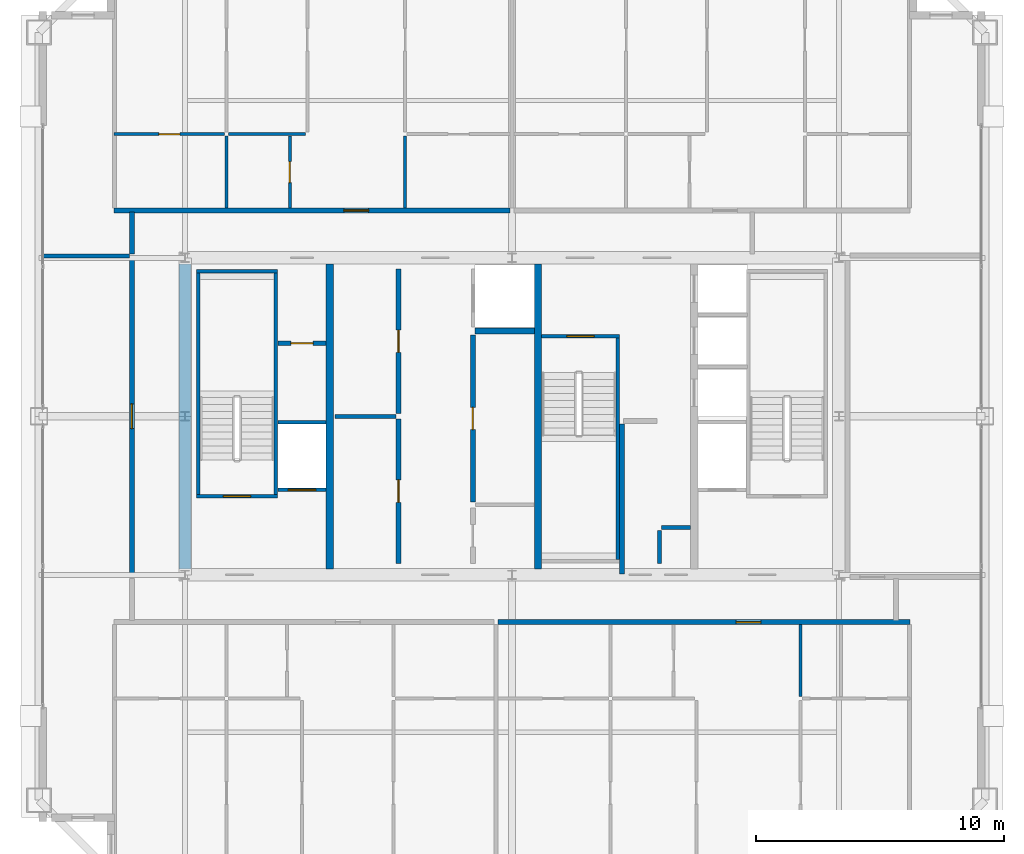
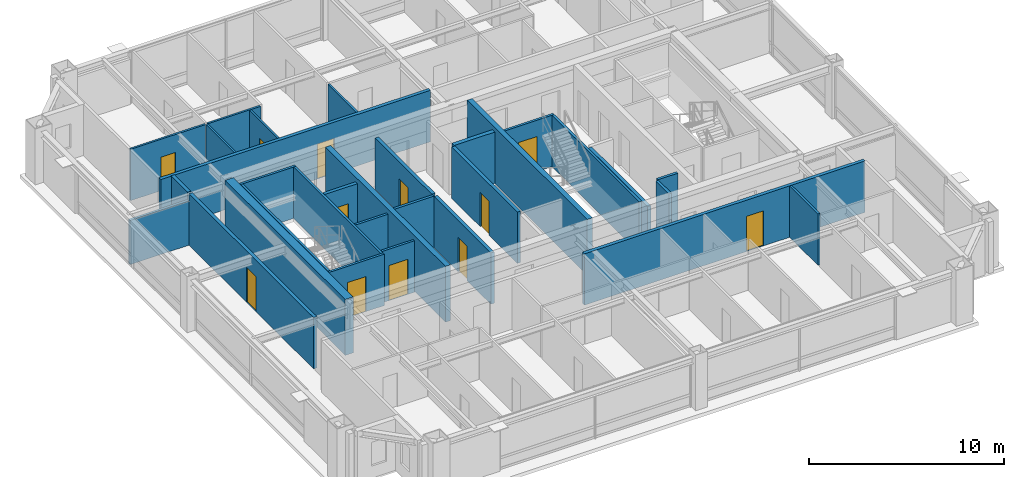
# One storey, part 31 of 35: 31 walls, 12 doors, 12 openings.
"""IFC4 building model written with IfcOpenShell, lengths in metres."""

from ifc_helpers import new_model, si_unit, direction, frame, frame_2d, origin, place, context, subcontext, project, spatial, rectangle, extrude, source, transform, mapped, material, layer, layer_set, type_object, element, fill, save


model = new_model("IFC4")

# Units and contexts
model_context = context("Model", 3, precision=1e-05, world=origin(), true_north=direction((0.0, 1.0)))
body_context = subcontext(model_context, "Body", "Model", "MODEL_VIEW")
ifc_project = project(units=[si_unit("LENGTHUNIT", "METRE"), si_unit("AREAUNIT", "SQUARE_METRE"), si_unit("VOLUMEUNIT", "CUBIC_METRE"), si_unit("PLANEANGLEUNIT", "RADIAN"), si_unit("MASSUNIT", "GRAM", prefix="KILO"), si_unit("THERMODYNAMICTEMPERATUREUNIT", "KELVIN"), si_unit("POWERUNIT", "WATT")], contexts=[model_context])

# Site, building, storey
site_placement = place(None, origin())
site = spatial("IfcSite", under=ifc_project, at=site_placement, CompositionType="ELEMENT")
building_placement = place(site_placement, origin())
building = spatial("IfcBuilding", under=site, at=building_placement, Name="Yuzanri Waterfront Tower", CompositionType="ELEMENT")
storey_placement = place(building_placement, frame((0.0, 0.0, 303.10009765625)))
storey = spatial("IfcBuildingStorey", under=building, at=storey_placement, Name="L81", CompositionType="ELEMENT", Elevation=303.10009765625)

# Wall, opening, door
ifc_material_1 = material(Name="Moisture-Resistant Gypsum Stud Wall", Category="gypsum")
ifc_layer_1 = layer(ifc_material_1, 0.1201171875)
ifc_layer_set_1 = layer_set([ifc_layer_1], Name="Moisture-Resistant Gypsum Stud Wall")
wall_type_1 = type_object("IfcWallType", Name="Bathroom and Kitchen Wet Partition 120", PredefinedType="PARTITIONING", material=ifc_layer_set_1)
wall_1_placement = place(storey_placement, frame((20.93994140625, 37.18994140625, 0.0), z_axis=(0.0, 0.0, 1.0), x_axis=(1.0, 0.0, 0.0)))
wall_1 = element("IfcWall", 1, at=wall_1_placement, inside=storey, type_object=wall_type_1, Name="L81 Partition UW-L81-HN1-SUB-1-N", PredefinedType="PARTITIONING", context=body_context, shape_type="SweptSolid", body=[
    extrude(rectangle(XDim=4.449951171875, YDim=0.1201171875, at=frame_2d((2.22509765625, 0.0))), origin(), (0.0, 0.0, 1.0), 3.219970703125),
])
opening_1_placement = place(wall_1_placement, frame((1.800048828125, 0.0, 0.0)))
opening_1 = element("IfcOpeningElement", 2, at=opening_1_placement, cuts=wall_1, Name="Opening ID-0850", PredefinedType="OPENING", context=body_context, shape_type="SweptSolid", body=[
    extrude(rectangle(XDim=0.85009765625, YDim=2.10009765625, at=frame_2d((0.425048828125, 1.050048828125))), frame((0.0, 0.074951171875, 0.0), z_axis=(0.0, -1.0, 0.0), x_axis=(1.0, 0.0, 0.0)), (0.0, 0.0, 1.0), 0.14990234375),
])
ifc_material_2 = material(Name="Moisture-Resistant Lacquered Timber", Category="wood")
door_type_1 = type_object("IfcDoorType", Name="En-Suite Bathroom and Kitchen Swing Door 850x2100", OperationType="NOTDEFINED", PredefinedType="DOOR", material=ifc_material_2)
shared_shape_1 = source(origin(), body_context, "Body", "SweptSolid", [
    extrude(rectangle(XDim=0.85009765625, YDim=2.10009765625, at=frame_2d((0.425048828125, 1.050048828125))), frame((0.0, 0.02490234375, 0.0), z_axis=(0.0, -1.0, 0.0), x_axis=(1.0, 0.0, 0.0)), (0.0, 0.0, 1.0), 0.050048828125),
])
door_1_placement = place(opening_1_placement, origin())
door_1 = element("IfcDoor", 3, at=door_1_placement, inside=storey, type_object=door_type_1, Name="L81 Suite Interior Room Door", OperationType="SINGLE_SWING_LEFT", OverallHeight=2.10009765625, OverallWidth=0.85009765625, PredefinedType="DOOR", context=body_context, shape_type="MappedRepresentation", body=[
    mapped(shared_shape_1, transform((0.0, 0.0, 0.0), scale=1.0)),
])
fill(opening_1, door_1)

wall_2_placement = place(storey_placement, frame((28.030029296875, 34.2099609375, 0.0), z_axis=(0.0, 0.0, 1.0), x_axis=(0.0, 1.0, 0.0)))
wall_2 = element("IfcWall", 4, at=wall_2_placement, inside=storey, type_object=wall_type_1, Name="L81 Partition UW-L81-HN1-SUB-2-E", PredefinedType="PARTITIONING", context=body_context, shape_type="SweptSolid", body=[
    extrude(rectangle(XDim=2.900146484375, YDim=0.1201171875, at=frame_2d((1.4501953125, 0.0))), origin(), (0.0, 0.0, 1.0), 3.219970703125),
])
opening_2_placement = place(wall_2_placement, frame((1.02490234375, 0.0, 0.0)))
opening_2 = element("IfcOpeningElement", 5, at=opening_2_placement, cuts=wall_2, Name="Opening ID-0850", PredefinedType="OPENING", context=body_context, shape_type="SweptSolid", body=[
    extrude(rectangle(XDim=0.85009765625, YDim=2.10009765625, at=frame_2d((0.425048828125, 1.050048828125))), frame((0.0, 0.074951171875, 0.0), z_axis=(0.0, -1.0, 0.0), x_axis=(1.0, 0.0, 0.0)), (0.0, 0.0, 1.0), 0.14990234375),
])
door_2_placement = place(opening_2_placement, origin())
door_2 = element("IfcDoor", 6, at=door_2_placement, inside=storey, type_object=door_type_1, Name="L81 Suite Interior Room Door", OperationType="SINGLE_SWING_RIGHT", OverallHeight=2.10009765625, OverallWidth=0.85009765625, PredefinedType="DOOR", context=body_context, shape_type="MappedRepresentation", body=[
    mapped(shared_shape_1, transform((0.0, 0.0, 0.0), scale=1.0)),
])
fill(opening_2, door_2)

ifc_material_3 = material(Name="Concrete C40", Category="concrete")
ifc_layer_2 = layer(ifc_material_3, 0.139892578125)
ifc_layer_set_2 = layer_set([ifc_layer_2], Name="Concrete C40")
wall_type_2 = type_object("IfcWallType", Name="Core Stair Liner and Hoistway Shaft Wall 140", PredefinedType="SOLIDWALL", material=ifc_layer_set_2)
wall_3_placement = place(storey_placement, frame((27.56005859375, 22.830078125, 0.0), z_axis=(0.0, 0.0, 1.0), x_axis=(1.0, 0.0, 0.0)))
wall_3 = element("IfcWall", 7, at=wall_3_placement, inside=storey, type_object=wall_type_2, Name="L81 Lift FL-01 Front Shaft Wall", PredefinedType="SOLIDWALL", context=body_context, shape_type="SweptSolid", body=[
    extrude(rectangle(XDim=1.919921875, YDim=0.139892578125, at=frame_2d((0.9599609375, 0.0))), origin(), (0.0, 0.0, 1.0), 3.219970703125),
])
opening_3_placement = place(wall_3_placement, frame((0.409912109375, 0.0, 0.0)))
opening_3 = element("IfcOpeningElement", 8, at=opening_3_placement, cuts=wall_3, Name="Opening LD-FL-01", PredefinedType="OPENING", context=body_context, shape_type="SweptSolid", body=[
    extrude(rectangle(XDim=1.10009765625, YDim=2.199951171875, at=frame_2d((0.550048828125, 1.10009765625))), frame((0.0, 0.0849609375, 0.0), z_axis=(0.0, -1.0, 0.0), x_axis=(1.0, 0.0, 0.0)), (0.0, 0.0, 1.0), 0.169677734375),
])
ifc_material_4 = material(Name="Brushed Bronze and Stainless Steel Cab", Category="steel")
door_type_2 = type_object("IfcDoorType", Name="Center-Parting Bronze Lift Landing Sliding Door 1100x2200", OperationType="NOTDEFINED", PredefinedType="DOOR", material=ifc_material_4)
shared_shape_2 = source(origin(), body_context, "Body", "SweptSolid", [
    extrude(rectangle(XDim=1.10009765625, YDim=2.199951171875, at=frame_2d((0.550048828125, 1.10009765625))), frame((0.0, 0.02490234375, 0.0), z_axis=(0.0, -1.0, 0.0), x_axis=(1.0, 0.0, 0.0)), (0.0, 0.0, 1.0), 0.050048828125),
])
door_3_placement = place(opening_3_placement, origin())
door_3 = element("IfcDoor", 9, at=door_3_placement, inside=storey, type_object=door_type_2, Name="L81 FL-01 Lift Landing Sliding Door", OperationType="SLIDING_TO_LEFT", OverallHeight=2.199951171875, OverallWidth=1.10009765625, PredefinedType="DOOR", context=body_context, shape_type="MappedRepresentation", body=[
    mapped(shared_shape_2, transform((0.0, 0.0, 0.0), scale=1.0)),
])
fill(opening_3, door_3)

wall_4_placement = place(storey_placement, frame((24.260009765625, 22.570068359375, 0.0), z_axis=(0.0, 0.0, 1.0), x_axis=(1.0, 0.0, 0.0)))
wall_4 = element("IfcWall", 10, at=wall_4_placement, inside=storey, type_object=wall_type_2, Name="L81 Shaft Wall STW-L81-ST-01-S", PredefinedType="SOLIDWALL", context=body_context, shape_type="SweptSolid", body=[
    extrude(rectangle(XDim=3.280029296875, YDim=0.139892578125, at=frame_2d((1.64013671875, 0.0))), origin(), (0.0, 0.0, 1.0), 3.219970703125),
])
opening_4_placement = place(wall_4_placement, frame((1.090087890625, 0.0, 0.0)))
opening_4 = element("IfcOpeningElement", 11, at=opening_4_placement, cuts=wall_4, Name="Opening FD-1100", PredefinedType="OPENING", context=body_context, shape_type="SweptSolid", body=[
    extrude(rectangle(XDim=1.10009765625, YDim=2.199951171875, at=frame_2d((0.550048828125, 1.10009765625))), frame((0.0, 0.0849609375, 0.0), z_axis=(0.0, -1.0, 0.0), x_axis=(1.0, 0.0, 0.0)), (0.0, 0.0, 1.0), 0.169677734375),
])
ifc_material_5 = material(Name="Painted Galvanized Fire Steel", Category="steel")
door_type_3 = type_object("IfcDoorType", Name="Smoke-Proof Stair and Lobby Fire Door 1100x2200", OperationType="NOTDEFINED", PredefinedType="DOOR", material=ifc_material_5)
shared_shape_3 = source(origin(), body_context, "Body", "SweptSolid", [
    extrude(rectangle(XDim=1.10009765625, YDim=2.199951171875, at=frame_2d((0.550048828125, 1.10009765625))), frame((0.0, 0.02490234375, 0.0), z_axis=(0.0, -1.0, 0.0), x_axis=(1.0, 0.0, 0.0)), (0.0, 0.0, 1.0), 0.050048828125),
])
door_4_placement = place(opening_4_placement, origin())
door_4 = element("IfcDoor", 12, at=door_4_placement, inside=storey, type_object=door_type_3, Name="L81 Stair ST-01 Fire Door", OperationType="SINGLE_SWING_RIGHT", OverallHeight=2.199951171875, OverallWidth=1.10009765625, PredefinedType="DOOR", context=body_context, shape_type="MappedRepresentation", body=[
    mapped(shared_shape_3, transform((0.0, 0.0, 0.0), scale=1.0)),
])
fill(opening_4, door_4)

wall_5_placement = place(storey_placement, frame((38.199951171875, 29.030029296875, 0.0), z_axis=(0.0, 0.0, 1.0), x_axis=(1.0, 0.0, 0.0)))
wall_5 = element("IfcWall", 13, at=wall_5_placement, inside=storey, type_object=wall_type_2, Name="L81 Shaft Wall STW-L81-ST-03-N", PredefinedType="SOLIDWALL", context=body_context, shape_type="SweptSolid", body=[
    extrude(rectangle(XDim=3.14013671875, YDim=0.139892578125, at=frame_2d((1.570068359375, 0.0))), origin(), (0.0, 0.0, 1.0), 3.219970703125),
])
opening_5_placement = place(wall_5_placement, frame((1.02001953125, 0.0, 0.0)))
opening_5 = element("IfcOpeningElement", 14, at=opening_5_placement, cuts=wall_5, Name="Opening FD-1100", PredefinedType="OPENING", context=body_context, shape_type="SweptSolid", body=[
    extrude(rectangle(XDim=1.10009765625, YDim=2.199951171875, at=frame_2d((0.550048828125, 1.10009765625))), frame((0.0, 0.0849609375, 0.0), z_axis=(0.0, -1.0, 0.0), x_axis=(1.0, 0.0, 0.0)), (0.0, 0.0, 1.0), 0.169677734375),
])
door_5_placement = place(opening_5_placement, origin())
door_5 = element("IfcDoor", 15, at=door_5_placement, inside=storey, type_object=door_type_3, Name="L81 Stair ST-03 Fire Door", OperationType="SINGLE_SWING_RIGHT", OverallHeight=2.199951171875, OverallWidth=1.10009765625, PredefinedType="DOOR", context=body_context, shape_type="MappedRepresentation", body=[
    mapped(shared_shape_3, transform((0.0, 0.0, 0.0), scale=1.0)),
])
fill(opening_5, door_5)

ifc_material_6 = material(Name="Autoclaved Aerated Concrete Blockwork", Category="masonry")
ifc_layer_3 = layer(ifc_material_6, 0.199951171875)
ifc_layer_set_3 = layer_set([ifc_layer_3], Name="Autoclaved Aerated Concrete Blockwork")
wall_type_3 = type_object("IfcWallType", Name="Corridor and Unit Party Fire Wall 200", PredefinedType="PARTITIONING", material=ifc_layer_set_3)
wall_6_placement = place(storey_placement, frame((27.56005859375, 28.75, 0.0), z_axis=(0.0, 0.0, 1.0), x_axis=(1.0, 0.0, 0.0)))
wall_6 = element("IfcWall", 16, at=wall_6_placement, inside=storey, type_object=wall_type_3, Name="L81 Partition CRW-L81-ERTR", PredefinedType="PARTITIONING", context=body_context, shape_type="SweptSolid", body=[
    extrude(rectangle(XDim=1.919921875, YDim=0.199951171875, at=frame_2d((0.9599609375, 0.0))), origin(), (0.0, 0.0, 1.0), 3.219970703125),
])
opening_6_placement = place(wall_6_placement, frame((0.510009765625, 0.0, 0.0)))
opening_6 = element("IfcOpeningElement", 17, at=opening_6_placement, cuts=wall_6, Name="Opening FD-0900", PredefinedType="OPENING", context=body_context, shape_type="SweptSolid", body=[
    extrude(rectangle(XDim=0.89990234375, YDim=2.14990234375, at=frame_2d((0.449951171875, 1.074951171875))), frame((0.0, 0.11474609375, 0.0), z_axis=(0.0, -1.0, 0.0), x_axis=(1.0, 0.0, 0.0)), (0.0, 0.0, 1.0), 0.229736328125),
])
ifc_material_7 = material(Name="Painted Galvanized Fire Steel", Category="steel")
door_type_4 = type_object("IfcDoorType", Name="Riser and Service Room Fire Door 900x2150", OperationType="NOTDEFINED", PredefinedType="DOOR", material=ifc_material_7)
shared_shape_4 = source(origin(), body_context, "Body", "SweptSolid", [
    extrude(rectangle(XDim=0.89990234375, YDim=2.14990234375, at=frame_2d((0.449951171875, 1.074951171875))), frame((0.0, 0.02490234375, 0.0), z_axis=(0.0, -1.0, 0.0), x_axis=(1.0, 0.0, 0.0)), (0.0, 0.0, 1.0), 0.050048828125),
])
door_6_placement = place(opening_6_placement, origin())
door_6 = element("IfcDoor", 18, at=door_6_placement, inside=storey, type_object=door_type_4, Name="L81 Electrical Riser Door", OperationType="SINGLE_SWING_RIGHT", OverallHeight=2.14990234375, OverallWidth=0.89990234375, PredefinedType="DOOR", context=body_context, shape_type="MappedRepresentation", body=[
    mapped(shared_shape_4, transform((0.0, 0.0, 0.0), scale=1.0)),
])
fill(opening_6, door_6)

wall_7_placement = place(storey_placement, frame((32.419921875, 19.860107421875, 0.0), z_axis=(0.0, 0.0, 1.0), x_axis=(0.0, 1.0, 0.0)))
wall_7 = element("IfcWall", 19, at=wall_7_placement, inside=storey, type_object=wall_type_3, Name="L81 Partition CRW-L81-B1R-1", PredefinedType="PARTITIONING", context=body_context, shape_type="SweptSolid", body=[
    extrude(rectangle(XDim=5.83984375, YDim=0.199951171875, at=frame_2d((2.919921875, 0.0))), origin(), (0.0, 0.0, 1.0), 3.219970703125),
])
opening_7_placement = place(wall_7_placement, frame((2.469970703125, 0.0, 0.0)))
opening_7 = element("IfcOpeningElement", 20, at=opening_7_placement, cuts=wall_7, Name="Opening FD-0900", PredefinedType="OPENING", context=body_context, shape_type="SweptSolid", body=[
    extrude(rectangle(XDim=0.89990234375, YDim=2.14990234375, at=frame_2d((0.449951171875, 1.074951171875))), frame((0.0, 0.11474609375, 0.0), z_axis=(0.0, -1.0, 0.0), x_axis=(1.0, 0.0, 0.0)), (0.0, 0.0, 1.0), 0.229736328125),
])
door_7_placement = place(opening_7_placement, origin())
door_7 = element("IfcDoor", 21, at=door_7_placement, inside=storey, type_object=door_type_4, Name="L81 South Private Store Room", OperationType="SINGLE_SWING_LEFT", OverallHeight=2.14990234375, OverallWidth=0.89990234375, PredefinedType="DOOR", context=body_context, shape_type="MappedRepresentation", body=[
    mapped(shared_shape_4, transform((0.0, 0.0, 0.0), scale=1.0)),
])
fill(opening_7, door_7)

wall_8_placement = place(storey_placement, frame((32.419921875, 25.919921875, 0.0), z_axis=(0.0, 0.0, 1.0), x_axis=(0.0, 1.0, 0.0)))
wall_8 = element("IfcWall", 22, at=wall_8_placement, inside=storey, type_object=wall_type_3, Name="L81 Partition CRW-L81-B1R-2", PredefinedType="PARTITIONING", context=body_context, shape_type="SweptSolid", body=[
    extrude(rectangle(XDim=5.820068359375, YDim=0.199951171875, at=frame_2d((2.91015625, 0.0))), origin(), (0.0, 0.0, 1.0), 3.219970703125),
])
opening_8_placement = place(wall_8_placement, frame((2.4599609375, 0.0, 0.0)))
opening_8 = element("IfcOpeningElement", 23, at=opening_8_placement, cuts=wall_8, Name="Opening FD-0900", PredefinedType="OPENING", context=body_context, shape_type="SweptSolid", body=[
    extrude(rectangle(XDim=0.89990234375, YDim=2.14990234375, at=frame_2d((0.449951171875, 1.074951171875))), frame((0.0, 0.11474609375, 0.0), z_axis=(0.0, -1.0, 0.0), x_axis=(1.0, 0.0, 0.0)), (0.0, 0.0, 1.0), 0.229736328125),
])
door_8_placement = place(opening_8_placement, origin())
door_8 = element("IfcDoor", 24, at=door_8_placement, inside=storey, type_object=door_type_4, Name="L81 North Private Store Room", OperationType="SINGLE_SWING_RIGHT", OverallHeight=2.14990234375, OverallWidth=0.89990234375, PredefinedType="DOOR", context=body_context, shape_type="MappedRepresentation", body=[
    mapped(shared_shape_4, transform((0.0, 0.0, 0.0), scale=1.0)),
])
fill(opening_8, door_8)

wall_9_placement = place(storey_placement, frame((35.419921875, 22.35009765625, 0.0), z_axis=(0.0, 0.0, 1.0), x_axis=(0.0, 1.0, 0.0)))
wall_9 = element("IfcWall", 25, at=wall_9_placement, inside=storey, type_object=wall_type_3, Name="L81 Partition CRW-L81-B2R-2", PredefinedType="PARTITIONING", context=body_context, shape_type="SweptSolid", body=[
    extrude(rectangle(XDim=6.72998046875, YDim=0.199951171875, at=frame_2d((3.364990234375, 0.0))), origin(), (0.0, 0.0, 1.0), 3.219970703125),
])
opening_9_placement = place(wall_9_placement, frame((2.9150390625, 0.0, 0.0)))
opening_9 = element("IfcOpeningElement", 26, at=opening_9_placement, cuts=wall_9, Name="Opening FD-0900", PredefinedType="OPENING", context=body_context, shape_type="SweptSolid", body=[
    extrude(rectangle(XDim=0.89990234375, YDim=2.14990234375, at=frame_2d((0.449951171875, 1.074951171875))), frame((0.0, 0.11474609375, 0.0), z_axis=(0.0, -1.0, 0.0), x_axis=(1.0, 0.0, 0.0)), (0.0, 0.0, 1.0), 0.229736328125),
])
door_9_placement = place(opening_9_placement, origin())
door_9 = element("IfcDoor", 27, at=door_9_placement, inside=storey, type_object=door_type_4, Name="L81 Upper Linen Store Room", OperationType="SINGLE_SWING_RIGHT", OverallHeight=2.14990234375, OverallWidth=0.89990234375, PredefinedType="DOOR", context=body_context, shape_type="MappedRepresentation", body=[
    mapped(shared_shape_4, transform((0.0, 0.0, 0.0), scale=1.0)),
])
fill(opening_9, door_9)

wall_10_placement = place(storey_placement, frame((36.43798828125, 17.489990234375, 0.0), z_axis=(0.0, 0.0, 1.0), x_axis=(1.0, 0.0, 0.0)))
wall_10 = element("IfcWall", 28, at=wall_10_placement, inside=storey, type_object=wall_type_3, Name="L81 Partition UW-L81-HS2-CN", PredefinedType="PARTITIONING", context=body_context, shape_type="SweptSolid", body=[
    extrude(rectangle(XDim=16.6220703125, YDim=0.199951171875, at=frame_2d((8.31103515625, 0.0))), origin(), (0.0, 0.0, 1.0), 3.219970703125),
])
opening_10_placement = place(wall_10_placement, frame((9.611083984375, 0.0, 0.0)))
opening_10 = element("IfcOpeningElement", 29, at=opening_10_placement, cuts=wall_10, Name="Opening FD-1000", PredefinedType="OPENING", context=body_context, shape_type="SweptSolid", body=[
    extrude(rectangle(XDim=1.0, YDim=2.199951171875, at=frame_2d((0.5, 1.10009765625))), frame((0.0, 0.11474609375, 0.0), z_axis=(0.0, -1.0, 0.0), x_axis=(1.0, 0.0, 0.0)), (0.0, 0.0, 1.0), 0.229736328125),
])
ifc_material_8 = material(Name="Engineered Oak Fire-Rated Timber", Category="wood")
door_type_5 = type_object("IfcDoorType", Name="Guestroom and Apartment Entrance Fire Door 1000x2200", OperationType="NOTDEFINED", PredefinedType="DOOR", material=ifc_material_8)
shared_shape_5 = source(origin(), body_context, "Body", "SweptSolid", [
    extrude(rectangle(XDim=1.0, YDim=2.199951171875, at=frame_2d((0.5, 1.10009765625))), frame((0.0, 0.02490234375, 0.0), z_axis=(0.0, -1.0, 0.0), x_axis=(1.0, 0.0, 0.0)), (0.0, 0.0, 1.0), 0.050048828125),
])
door_10_placement = place(opening_10_placement, origin())
door_10 = element("IfcDoor", 30, at=door_10_placement, inside=storey, type_object=door_type_5, Name="L81 Apartment Living and Dining Salon Entrance Door", OperationType="SINGLE_SWING_RIGHT", OverallHeight=2.199951171875, OverallWidth=1.0, PredefinedType="DOOR", context=body_context, shape_type="MappedRepresentation", body=[
    mapped(shared_shape_5, transform((0.0, 0.0, 0.0), scale=1.0)),
])
fill(opening_10, door_10)

wall_11_placement = place(storey_placement, frame((20.93994140625, 34.110107421875, 0.0), z_axis=(0.0, 0.0, 1.0), x_axis=(1.0, 0.0, 0.0)))
wall_11 = element("IfcWall", 31, at=wall_11_placement, inside=storey, type_object=wall_type_3, Name="L81 Partition UW-L81-HN1-CS", PredefinedType="PARTITIONING", context=body_context, shape_type="SweptSolid", body=[
    extrude(rectangle(XDim=15.97998046875, YDim=0.199951171875, at=frame_2d((7.989990234375, 0.0))), origin(), (0.0, 0.0, 1.0), 3.219970703125),
])
opening_11_placement = place(wall_11_placement, frame((9.26904296875, 0.0, 0.0)))
opening_11 = element("IfcOpeningElement", 32, at=opening_11_placement, cuts=wall_11, Name="Opening FD-1000", PredefinedType="OPENING", context=body_context, shape_type="SweptSolid", body=[
    extrude(rectangle(XDim=1.0, YDim=2.199951171875, at=frame_2d((0.5, 1.10009765625))), frame((0.0, 0.11474609375, 0.0), z_axis=(0.0, -1.0, 0.0), x_axis=(1.0, 0.0, 0.0)), (0.0, 0.0, 1.0), 0.229736328125),
])
door_11_placement = place(opening_11_placement, origin())
door_11 = element("IfcDoor", 33, at=door_11_placement, inside=storey, type_object=door_type_5, Name="L81 Apartment Living and Dining Salon Entrance Door", OperationType="SINGLE_SWING_RIGHT", OverallHeight=2.199951171875, OverallWidth=1.0, PredefinedType="DOOR", context=body_context, shape_type="MappedRepresentation", body=[
    mapped(shared_shape_5, transform((0.0, 0.0, 0.0), scale=1.0)),
])
fill(opening_11, door_11)

wall_12_placement = place(storey_placement, frame((21.64990234375, 19.409912109375, 0.0), z_axis=(0.0, 0.0, 1.0), x_axis=(0.0, 1.0, 0.0)))
wall_12 = element("IfcWall", 34, at=wall_12_placement, inside=storey, type_object=wall_type_3, Name="L81 Partition UW-L81-049-CW", PredefinedType="PARTITIONING", context=body_context, shape_type="SweptSolid", body=[
    extrude(rectangle(XDim=12.780029296875, YDim=0.199951171875, at=frame_2d((6.39013671875, 0.0))), origin(), (0.0, 0.0, 1.0), 3.219970703125),
])
opening_12_placement = place(wall_12_placement, frame((5.889892578125, 0.0, 0.0)))
opening_12 = element("IfcOpeningElement", 35, at=opening_12_placement, cuts=wall_12, Name="Opening FD-1000", PredefinedType="OPENING", context=body_context, shape_type="SweptSolid", body=[
    extrude(rectangle(XDim=1.0, YDim=2.199951171875, at=frame_2d((0.5, 1.10009765625))), frame((0.0, 0.11474609375, 0.0), z_axis=(0.0, -1.0, 0.0), x_axis=(1.0, 0.0, 0.0)), (0.0, 0.0, 1.0), 0.229736328125),
])
door_12_placement = place(opening_12_placement, origin())
door_12 = element("IfcDoor", 36, at=door_12_placement, inside=storey, type_object=door_type_5, Name="L81 High-Rise W Wellness Gym Studio Entrance Door", OperationType="SINGLE_SWING_RIGHT", OverallHeight=2.199951171875, OverallWidth=1.0, PredefinedType="DOOR", context=body_context, shape_type="MappedRepresentation", body=[
    mapped(shared_shape_5, transform((0.0, 0.0, 0.0), scale=1.0)),
])
fill(opening_12, door_12)

# Walls
ifc_material_9 = material(Name="Concrete C45", Category="concrete")
ifc_layer_4 = layer(ifc_material_9, 0.47998046875)
ifc_layer_set_4 = layer_set([ifc_layer_4], Name="Concrete C45")
wall_type_4 = type_object("IfcWallType", Name="Concrete C45 High-Rise Core Shear Wall 480", PredefinedType="SHEAR", material=ifc_layer_set_4)
shared_shape_6 = source(origin(), body_context, "Body", "SweptSolid", [
    extrude(rectangle(XDim=12.320068359375, YDim=0.47998046875, at=frame_2d((6.16015625, 0.0))), origin(), (0.0, 0.0, 1.0), 3.5),
])
wall_13_placement = place(storey_placement, frame((23.800048828125, 19.639892578125, 0.0), z_axis=(0.0, 0.0, 1.0), x_axis=(0.0, 1.0, 0.0)))
element("IfcWall", 37, at=wall_13_placement, inside=storey, type_object=wall_type_4, Name="L81 Core West Shear Wall", PredefinedType="SHEAR", context=body_context, shape_type="MappedRepresentation", body=[
    mapped(shared_shape_6, transform((0.0, 0.0, 0.0), scale=1.0)),
])
ifc_material_10 = material(Name="Concrete C50", Category="concrete")
ifc_layer_5 = layer(ifc_material_10, 0.300048828125)
ifc_layer_set_5 = layer_set([ifc_layer_5], Name="Concrete C50")
wall_type_5 = type_object("IfcWallType", Name="Concrete C50 Internal Core Shaft Structural Wall 300", PredefinedType="SOLIDWALL", material=ifc_layer_set_5)
shared_shape_7 = source(origin(), body_context, "Body", "SweptSolid", [
    extrude(rectangle(XDim=12.320068359375, YDim=0.300048828125, at=frame_2d((6.16015625, 0.0))), origin(), (0.0, 0.0, 1.0), 3.5),
])
for number, where, z_axis, x_axis, name in (
    (38, (29.64990234375, 19.639892578125, 0.0), (0.0, 0.0, 1.0), (0.0, 1.0, 0.0), "L81 Core Internal Structural Web Wall 1"),
    (39, (38.050048828125, 19.639892578125, 0.0), (0.0, 0.0, 1.0), (0.0, 1.0, 0.0), "L81 Core Internal Structural Web Wall 2"),
):
    element("IfcWall", number, at=place(storey_placement, frame(where, z_axis=z_axis, x_axis=x_axis)), inside=storey, type_object=wall_type_5, Name=name, PredefinedType="SOLIDWALL", context=body_context, shape_type="MappedRepresentation", body=[
        mapped(shared_shape_7, transform((0.0, 0.0, 0.0), scale=1.0)),
    ])
shared_shape_8 = source(origin(), body_context, "Body", "SweptSolid", [
    extrude(rectangle(XDim=1.919921875, YDim=0.139892578125, at=frame_2d((0.9599609375, 0.0))), origin(), (0.0, 0.0, 1.0), 3.219970703125),
])
wall_14_placement = place(storey_placement, frame((27.56005859375, 25.570068359375, 0.0), z_axis=(0.0, 0.0, 1.0), x_axis=(1.0, 0.0, 0.0)))
element("IfcWall", 40, at=wall_14_placement, inside=storey, type_object=wall_type_2, Name="L81 Lift FL-01 Back Shaft Wall", PredefinedType="SOLIDWALL", context=body_context, shape_type="MappedRepresentation", body=[
    mapped(shared_shape_8, transform((0.0, 0.0, 0.0), scale=1.0)),
])
ifc_material_11 = material(Name="Concrete C40", Category="concrete")
ifc_layer_6 = layer(ifc_material_11, 0.25)
ifc_layer_set_6 = layer_set([ifc_layer_6], Name="Concrete C40")
wall_type_6 = type_object("IfcWallType", Name="Smoke-Proof Stair and Lift Shaft Wall 250", PredefinedType="SOLIDWALL", material=ifc_layer_set_6)
shared_shape_9 = source(origin(), body_context, "Body", "SweptSolid", [
    extrude(rectangle(XDim=2.39990234375, YDim=0.25, at=frame_2d((1.199951171875, 0.0))), origin(), (0.0, 0.0, 1.0), 3.219970703125),
])
wall_15_placement = place(storey_placement, frame((35.5, 29.25, 0.0), z_axis=(0.0, 0.0, 1.0), x_axis=(1.0, 0.0, 0.0)))
element("IfcWall", 41, at=wall_15_placement, inside=storey, type_object=wall_type_6, Name="L81 Lift SL-02 South Shaft Wall", PredefinedType="SOLIDWALL", context=body_context, shape_type="MappedRepresentation", body=[
    mapped(shared_shape_9, transform((0.0, 0.0, 0.0), scale=1.0)),
])
shared_shape_10 = source(origin(), body_context, "Body", "SweptSolid", [
    extrude(rectangle(XDim=3.280029296875, YDim=0.139892578125, at=frame_2d((1.64013671875, 0.0))), origin(), (0.0, 0.0, 1.0), 3.219970703125),
])
wall_16_placement = place(storey_placement, frame((24.260009765625, 31.64990234375, 0.0), z_axis=(0.0, 0.0, 1.0), x_axis=(1.0, 0.0, 0.0)))
element("IfcWall", 42, at=wall_16_placement, inside=storey, type_object=wall_type_2, Name="L81 Stair ST-01 North Shaft Wall", PredefinedType="SOLIDWALL", context=body_context, shape_type="MappedRepresentation", body=[
    mapped(shared_shape_10, transform((0.0, 0.0, 0.0), scale=1.0)),
])
shared_shape_11 = source(origin(), body_context, "Body", "SweptSolid", [
    extrude(rectangle(XDim=8.940185546875, YDim=0.139892578125, at=frame_2d((4.47021484375, 0.0))), origin(), (0.0, 0.0, 1.0), 3.219970703125),
])
for number, where, z_axis, x_axis, name in (
    (43, (24.330078125, 22.639892578125, 0.0), (0.0, 0.0, 1.0), (0.0, 1.0, 0.0), "L81 Stair ST-01 West Shaft Wall"),
    (44, (27.469970703125, 22.639892578125, 0.0), (0.0, 0.0, 1.0), (0.0, 1.0, 0.0), "L81 Stair ST-01 East Shaft Wall"),
):
    element("IfcWall", number, at=place(storey_placement, frame(where, z_axis=z_axis, x_axis=x_axis)), inside=storey, type_object=wall_type_2, Name=name, PredefinedType="SOLIDWALL", context=body_context, shape_type="MappedRepresentation", body=[
        mapped(shared_shape_11, transform((0.0, 0.0, 0.0), scale=1.0)),
    ])
shared_shape_12 = source(origin(), body_context, "Body", "SweptSolid", [
    extrude(rectangle(XDim=8.93994140625, YDim=0.139892578125, at=frame_2d((4.469970703125, 0.0))), origin(), (0.0, 0.0, 1.0), 3.219970703125),
])
wall_17_placement = place(storey_placement, frame((41.27001953125, 20.02001953125, 0.0), z_axis=(0.0, 0.0, 1.0), x_axis=(0.0, 1.0, 0.0)))
element("IfcWall", 45, at=wall_17_placement, inside=storey, type_object=wall_type_2, Name="L81 Stair ST-03 East Shaft Wall", PredefinedType="SOLIDWALL", context=body_context, shape_type="MappedRepresentation", body=[
    mapped(shared_shape_12, transform((0.0, 0.0, 0.0), scale=1.0)),
])
ifc_material_12 = material(Name="Gypsum Fireboard Acoustic Stud Wall", Category="gypsum")
ifc_layer_7 = layer(ifc_material_12, 0.159912109375)
ifc_layer_set_7 = layer_set([ifc_layer_7], Name="Gypsum Fireboard Acoustic Stud Wall")
wall_type_7 = type_object("IfcWallType", Name="Acoustic Suite Demising Partition 160", PredefinedType="PARTITIONING", material=ifc_layer_set_7)
shared_shape_13 = source(origin(), body_context, "Body", "SweptSolid", [
    extrude(rectangle(XDim=2.469970703125, YDim=0.159912109375, at=frame_2d((1.23486328125, 0.0))), origin(), (0.0, 0.0, 1.0), 3.219970703125),
])
wall_18_placement = place(storey_placement, frame((29.85009765625, 25.800048828125, 0.0), z_axis=(0.0, 0.0, 1.0), x_axis=(1.0, 0.0, 0.0)))
element("IfcWall", 46, at=wall_18_placement, inside=storey, type_object=wall_type_7, Name="L81 Reclaimed Core Divider 2", PredefinedType="PARTITIONING", context=body_context, shape_type="MappedRepresentation", body=[
    mapped(shared_shape_13, transform((0.0, 0.0, 0.0), scale=1.0)),
])
shared_shape_14 = source(origin(), body_context, "Body", "SweptSolid", [
    extrude(rectangle(XDim=1.33984375, YDim=0.159912109375, at=frame_2d((0.669921875, 0.0))), origin(), (0.0, 0.0, 1.0), 3.219970703125),
])
wall_19_placement = place(storey_placement, frame((42.949951171875, 19.860107421875, 0.0), z_axis=(0.0, 0.0, 1.0), x_axis=(0.0, 1.0, 0.0)))
element("IfcWall", 47, at=wall_19_placement, inside=storey, type_object=wall_type_7, Name="L81 East Wet Riser West Wall", PredefinedType="PARTITIONING", context=body_context, shape_type="MappedRepresentation", body=[
    mapped(shared_shape_14, transform((0.0, 0.0, 0.0), scale=1.0)),
])
shared_shape_15 = source(origin(), body_context, "Body", "SweptSolid", [
    extrude(rectangle(XDim=1.169921875, YDim=0.159912109375, at=frame_2d((0.5849609375, 0.0))), origin(), (0.0, 0.0, 1.0), 3.219970703125),
])
wall_20_placement = place(storey_placement, frame((43.030029296875, 21.320068359375, 0.0), z_axis=(0.0, 0.0, 1.0), x_axis=(1.0, 0.0, 0.0)))
element("IfcWall", 48, at=wall_20_placement, inside=storey, type_object=wall_type_7, Name="L81 East Wet Riser North Wall", PredefinedType="PARTITIONING", context=body_context, shape_type="MappedRepresentation", body=[
    mapped(shared_shape_15, transform((0.0, 0.0, 0.0), scale=1.0)),
])
shared_shape_16 = source(origin(), body_context, "Body", "SweptSolid", [
    extrude(rectangle(XDim=6.06005859375, YDim=0.199951171875, at=frame_2d((3.030029296875, 0.0))), origin(), (0.0, 0.0, 1.0), 3.219970703125),
])
wall_21_placement = place(storey_placement, frame((41.449951171875, 19.43994140625, 0.0), z_axis=(0.0, 0.0, 1.0), x_axis=(0.0, 1.0, 0.0)))
element("IfcWall", 49, at=wall_21_placement, inside=storey, type_object=wall_type_3, Name="L81 Core BOH West Wall 1", PredefinedType="PARTITIONING", context=body_context, shape_type="MappedRepresentation", body=[
    mapped(shared_shape_16, transform((0.0, 0.0, 0.0), scale=1.0)),
])
shared_shape_17 = source(origin(), body_context, "Body", "SweptSolid", [
    extrude(rectangle(XDim=1.699951171875, YDim=0.199951171875, at=frame_2d((0.85009765625, 0.0))), origin(), (0.0, 0.0, 1.0), 3.219970703125),
])
wall_22_placement = place(storey_placement, frame((21.64990234375, 32.35009765625, 0.0), z_axis=(0.0, 0.0, 1.0), x_axis=(0.0, 1.0, 0.0)))
element("IfcWall", 50, at=wall_22_placement, inside=storey, type_object=wall_type_3, Name="L81 North Foyer West End Wall", PredefinedType="PARTITIONING", context=body_context, shape_type="MappedRepresentation", body=[
    mapped(shared_shape_17, transform((0.0, 0.0, 0.0), scale=1.0)),
])
shared_shape_18 = source(origin(), body_context, "Body", "SweptSolid", [
    extrude(rectangle(XDim=2.89990234375, YDim=0.1201171875, at=frame_2d((1.449951171875, 0.0))), origin(), (0.0, 0.0, 1.0), 3.219970703125),
])
wall_23_placement = place(storey_placement, frame((48.657958984375, 14.489990234375, 0.0), z_axis=(0.0, 0.0, 1.0), x_axis=(0.0, 1.0, 0.0)))
element("IfcWall", 51, at=wall_23_placement, inside=storey, type_object=wall_type_1, Name="L81 Partition UW-L81-HS2-SUB-4-W", PredefinedType="PARTITIONING", context=body_context, shape_type="MappedRepresentation", body=[
    mapped(shared_shape_18, transform((0.0, 0.0, 0.0), scale=1.0)),
])
shared_shape_19 = source(origin(), body_context, "Body", "SweptSolid", [
    extrude(rectangle(XDim=2.900146484375, YDim=0.1201171875, at=frame_2d((1.4501953125, 0.0))), origin(), (0.0, 0.0, 1.0), 3.219970703125),
])
for number, where, z_axis, x_axis, name in (
    (52, (25.469970703125, 34.2099609375, 0.0), (0.0, 0.0, 1.0), (0.0, 1.0, 0.0), "L81 Partition UW-L81-HN1-SUB-1-E"),
    (53, (32.68505859375, 34.2099609375, 0.0), (0.0, 0.0, 1.0), (0.0, 1.0, 0.0), "L81 Partition UW-L81-HN1-SUB-3-W"),
):
    element("IfcWall", number, at=place(storey_placement, frame(where, z_axis=z_axis, x_axis=x_axis)), inside=storey, type_object=wall_type_1, Name=name, PredefinedType="PARTITIONING", context=body_context, shape_type="MappedRepresentation", body=[
        mapped(shared_shape_19, transform((0.0, 0.0, 0.0), scale=1.0)),
    ])
shared_shape_20 = source(origin(), body_context, "Body", "SweptSolid", [
    extrude(rectangle(XDim=3.10400390625, YDim=0.1201171875, at=frame_2d((1.552001953125, 0.0))), origin(), (0.0, 0.0, 1.0), 3.219970703125),
])
wall_24_placement = place(storey_placement, frame((25.550048828125, 37.18994140625, 0.0), z_axis=(0.0, 0.0, 1.0), x_axis=(1.0, 0.0, 0.0)))
element("IfcWall", 54, at=wall_24_placement, inside=storey, type_object=wall_type_1, Name="L81 Partition UW-L81-HN1-SUB-6-S", PredefinedType="PARTITIONING", context=body_context, shape_type="MappedRepresentation", body=[
    mapped(shared_shape_20, transform((0.0, 0.0, 0.0), scale=1.0)),
])
shared_shape_21 = source(origin(), body_context, "Body", "SweptSolid", [
    extrude(rectangle(XDim=3.5, YDim=0.159912109375, at=frame_2d((1.75, 0.0))), origin(), (0.0, 0.0, 1.0), 2.764892578125),
])
wall_25_placement = place(storey_placement, frame((18.050048828125, 32.27001953125, 0.0), z_axis=(0.0, 0.0, 1.0), x_axis=(1.0, 0.0, 0.0)))
element("IfcWall", 55, at=wall_25_placement, inside=storey, type_object=wall_type_7, Name="L81-049 Wing North End Wall", PredefinedType="PARTITIONING", context=body_context, shape_type="MappedRepresentation", body=[
    mapped(shared_shape_21, transform((0.0, 0.0, 0.0), scale=1.0)),
])

save(model, "model.ifc")
